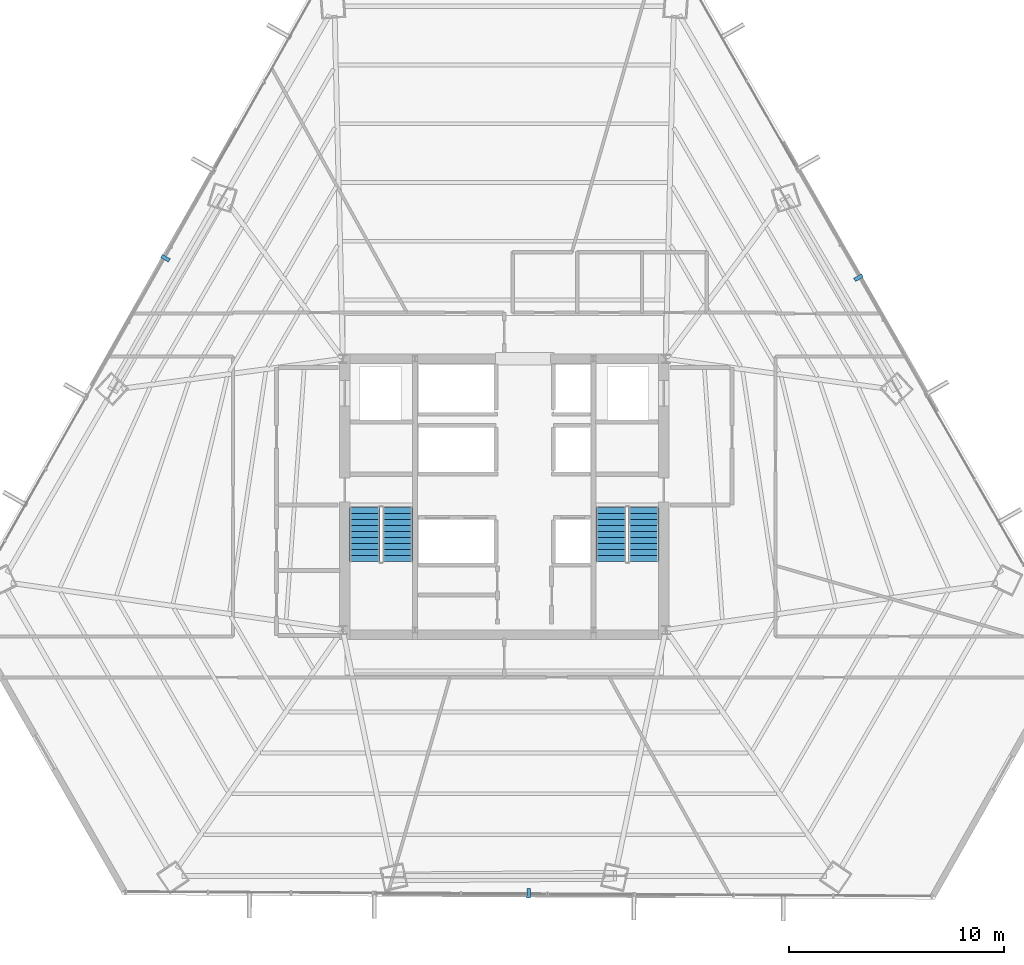
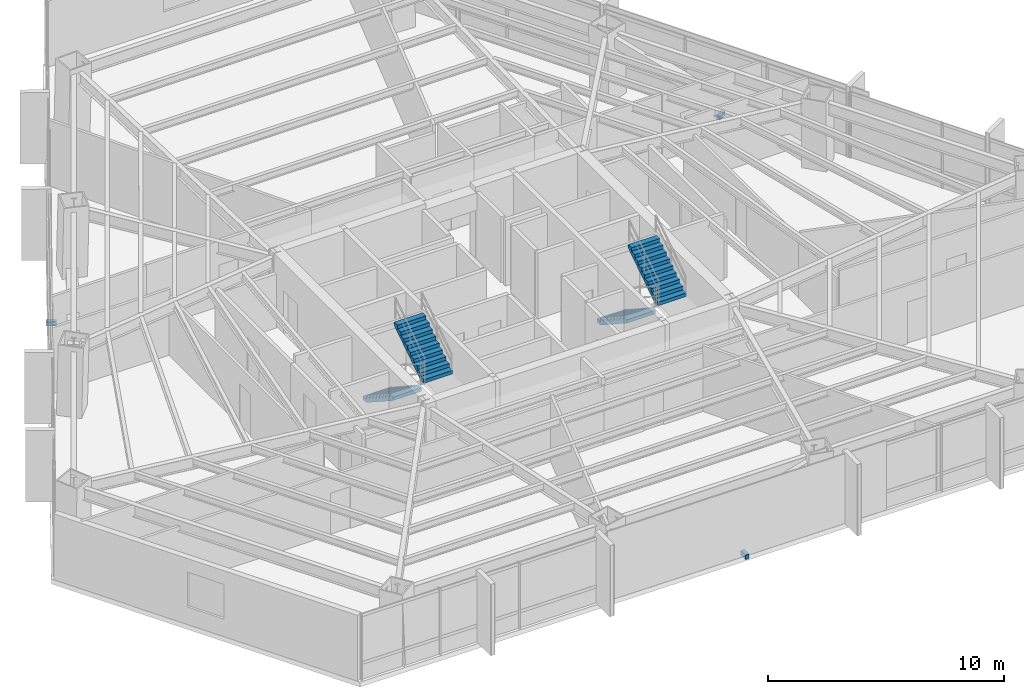
# One storey, part 33 of 36: 4 stair flights, 3 discrete accessories, 2 elements without a shape of their own.
"""IFC4 building model written with IfcOpenShell, lengths in metres."""

import ifcopenshell
import ifcopenshell.guid

model = None  # the IFC model being written
_history = None  # IfcOwnerHistory: only IFC2X3 demands one
_inside = {}  # id of a spatial element -> (the spatial element, [elements in it])
_under = {}  # id of a project, library or spatial element -> (it, [spatial elements below it])
_declared = {}  # id of a project -> (the project, [libraries it declares])
_typed = {}  # id of a type object -> (the type object, [elements of that type])
_made_of = {}  # id of a material, layer set ... -> (it, [elements and type objects made of it])


def new_model(schema):
    """Start an empty IFC model of exactly this schema.

    Asked for "IFC4X3", IfcOpenShell would pick the latest addendum, in which some entities
    have other attributes; the version numbers below select the first issue.
    IFC2X3 requires an IfcOwnerHistory on every rooted entity: one is made here for all.
    """
    global model, _history
    if schema == "IFC4X3":
        model = ifcopenshell.file(schema_version=(4, 3, 0, 0))
    else:
        model = ifcopenshell.file(schema=schema)
    _inside.clear()
    _under.clear()
    _declared.clear()
    _typed.clear()
    _made_of.clear()
    _history = None
    if model.schema == "IFC2X3":
        org = make("IfcOrganization", Name="unknown")
        user = make(
            "IfcPersonAndOrganization",
            ThePerson=make("IfcPerson", FamilyName="unknown"),
            TheOrganization=org,
        )
        app = make(
            "IfcApplication",
            ApplicationDeveloper=org,
            Version="unknown",
            ApplicationFullName="unknown",
            ApplicationIdentifier="unknown",
        )
        _history = make(
            "IfcOwnerHistory",
            OwningUser=user,
            OwningApplication=app,
            ChangeAction="ADDED",
            CreationDate=0,
        )
    return model


def make(cls, **values):
    """One entity of the class cls with the attributes given. An attribute that is None is left unset."""
    return model.create_entity(
        cls, **{name: value for name, value in values.items() if value is not None}
    )


def rooted(cls, **values):
    """An entity with a GlobalId (a new one), such as an element, a storey or a relation."""
    return make(cls, GlobalId=ifcopenshell.guid.new(), OwnerHistory=_history, **values)


def si_unit(unit_type, name, prefix=None):
    """IfcSIUnit, for example si_unit("LENGTHUNIT", "METRE", prefix="MILLI")."""
    return make("IfcSIUnit", UnitType=unit_type, Prefix=prefix, Name=name)


def assignment(units):
    """IfcUnitAssignment: the units of a project."""
    return None if units is None else make("IfcUnitAssignment", Units=units)


def point(xyz):
    """IfcCartesianPoint."""
    return None if xyz is None else make("IfcCartesianPoint", Coordinates=xyz)


def direction(xyz):
    """IfcDirection."""
    return None if xyz is None else make("IfcDirection", DirectionRatios=xyz)


def frame(location, z_axis=None, x_axis=None):
    """IfcAxis2Placement3D, a coordinate frame: its origin and axes. An axis left out is left unset."""
    return make(
        "IfcAxis2Placement3D",
        Location=point(location),
        Axis=direction(z_axis),
        RefDirection=direction(x_axis),
    )


def frame_2d(location, x_axis=None):
    """IfcAxis2Placement2D, a coordinate frame in the plane: its origin and x axis."""
    return make(
        "IfcAxis2Placement2D", Location=point(location), RefDirection=direction(x_axis)
    )


def origin():
    """The frame at (0, 0, 0) with its axes left unset."""
    return frame((0.0, 0.0, 0.0))


def origin_2d():
    """The frame at (0, 0) in the plane with its x axis left unset."""
    return frame_2d((0.0, 0.0))


def place(relative_to, where):
    """IfcLocalPlacement: puts the frame where relative to a parent placement (None: the world)."""
    return make(
        "IfcLocalPlacement", PlacementRelTo=relative_to, RelativePlacement=where
    )


def context(
    kind, dimensions, precision=None, world=None, true_north=None, identifier=None
):
    """IfcGeometricRepresentationContext, for example the 3D "Model" context."""
    return make(
        "IfcGeometricRepresentationContext",
        ContextIdentifier=identifier,
        ContextType=kind,
        CoordinateSpaceDimension=dimensions,
        Precision=precision,
        WorldCoordinateSystem=world,
        TrueNorth=true_north,
    )


def subcontext(parent, identifier, kind, view, scale=None):
    """IfcGeometricRepresentationSubContext, for example "Body" below "Model"."""
    return make(
        "IfcGeometricRepresentationSubContext",
        ContextIdentifier=identifier,
        ContextType=kind,
        ParentContext=parent,
        TargetScale=scale,
        TargetView=view,
    )


def project(units=None, contexts=None):
    """IfcProject with its units and contexts."""
    return rooted(
        "IfcProject",
        Name="project",
        RepresentationContexts=contexts,
        UnitsInContext=assignment(units),
    )


def spatial(cls, under=None, at=None, **own):
    """A site, building, storey or space (cls), placed at a placement, below another one or the project."""
    s = rooted(cls, ObjectPlacement=at, **own)
    if under is not None:
        _under.setdefault(under.id(), (under, []))[1].append(s)
    return s


def polyline(points):
    """IfcPolyline through the points."""
    return make("IfcPolyline", Points=[point(p) for p in points])


def profile(cls, at=None, kind="AREA", **sizes):
    """A parametric profile (cls). Its sizes go by their IFC names, for example OverallWidth=200.0."""
    return make(cls, ProfileType=kind, Position=at, **sizes)


def rectangle(**sizes):
    """IfcRectangleProfileDef."""
    return profile("IfcRectangleProfileDef", **sizes)


def outline(outer, holes=None, kind="AREA"):
    """IfcArbitraryClosedProfileDef: a profile drawn as a closed curve; with holes, ...WithVoids."""
    if holes is None:
        return make("IfcArbitraryClosedProfileDef", ProfileType=kind, OuterCurve=outer)
    return make(
        "IfcArbitraryProfileDefWithVoids",
        ProfileType=kind,
        OuterCurve=outer,
        InnerCurves=holes,
    )


def extrude(swept, where, along, depth):
    """IfcExtrudedAreaSolid: the profile swept, set in the frame where, extruded along a direction by depth."""
    return make(
        "IfcExtrudedAreaSolid",
        SweptArea=swept,
        Position=where,
        ExtrudedDirection=direction(along),
        Depth=depth,
    )


def shape(context_of_items, identifier, shape_type, items):
    """IfcShapeRepresentation: the items that make up one representation, for example the "Body"."""
    return make(
        "IfcShapeRepresentation",
        ContextOfItems=context_of_items,
        RepresentationIdentifier=identifier,
        RepresentationType=shape_type,
        Items=items,
    )


def source(mapping_origin, context_of_items, identifier, shape_type, items):
    """IfcRepresentationMap: a shape defined once, which mapped items show again and again."""
    return make(
        "IfcRepresentationMap",
        MappingOrigin=mapping_origin,
        MappedRepresentation=shape(context_of_items, identifier, shape_type, items),
    )


def transform(
    local_origin,
    x_axis=None,
    y_axis=None,
    z_axis=None,
    scale=None,
    scale2=None,
    scale3=None,
    uniform=True,
):
    """IfcCartesianTransformationOperator3D, or its non-uniform kind. x_axis, y_axis, z_axis: its Axis1, 2, 3."""
    if uniform:
        return make(
            "IfcCartesianTransformationOperator3D",
            Axis1=direction(x_axis),
            Axis2=direction(y_axis),
            LocalOrigin=point(local_origin),
            Scale=scale,
            Axis3=direction(z_axis),
        )
    return make(
        "IfcCartesianTransformationOperator3DnonUniform",
        Axis1=direction(x_axis),
        Axis2=direction(y_axis),
        LocalOrigin=point(local_origin),
        Scale=scale,
        Axis3=direction(z_axis),
        Scale2=scale2,
        Scale3=scale3,
    )


def mapped(mapping_source, mapping_target):
    """IfcMappedItem: shows the shape of a source again, moved by a transform."""
    return make(
        "IfcMappedItem", MappingSource=mapping_source, MappingTarget=mapping_target
    )


def material(Name=None, Category=None):
    """IfcMaterial."""
    return make("IfcMaterial", Name=Name, Category=Category)


def made_of(thing, what):
    """Note that an element or type object is made of a material, layer set ...; save() writes the relation."""
    if what is not None:
        _made_of.setdefault(what.id(), (what, []))[1].append(thing)
    return thing


def type_object(cls, material=None, **own):
    """A type object (cls), such as IfcWallType, which elements share."""
    return made_of(rooted(cls, **own), material)


def type_shapes(of_type, sources):
    """Give a type object the sources (RepresentationMaps) that its elements show as mapped items."""
    of_type.RepresentationMaps = sources


def element(
    cls,
    number,
    at=None,
    inside=None,
    cuts=None,
    type_object=None,
    material=None,
    context=None,
    identifier="Body",
    shape_type=None,
    held_by="IfcProductDefinitionShape",
    body=None,
    shapes=None,
    **own,
):
    """One element of the class cls, such as IfcWall. Its Tag is "e" and its number.

    at: its placement. inside: the storey or other place that contains it. cuts: it is an
    opening in that element (IfcRelVoidsElement). A single representation is given by context,
    identifier, shape_type and body (its items); several are given by shapes. held_by: the class
    of the entity that holds the representations. save() writes the other relations.
    """
    e = rooted(cls, Tag="e%d" % number, ObjectPlacement=at, **own)
    if body is not None:
        shapes = [shape(context, identifier, shape_type, body)]
    if shapes is not None:
        e.Representation = make(held_by, Representations=shapes)
    if inside is not None:
        _inside.setdefault(inside.id(), (inside, []))[1].append(e)
    if cuts is not None:
        rooted(
            "IfcRelVoidsElement", RelatingBuildingElement=cuts, RelatedOpeningElement=e
        )
    if type_object is not None:
        _typed.setdefault(type_object.id(), (type_object, []))[1].append(e)
    return made_of(e, material)


def aggregate(whole, parts):
    """IfcRelAggregates: a whole, such as a stair, and the parts it consists of."""
    return rooted("IfcRelAggregates", RelatingObject=whole, RelatedObjects=parts)


def save(model, path):
    """Write the relations noted so far, then the file.

    IfcRelAggregates (storeys below a building ...), IfcRelContainedInSpatialStructure (elements
    in a storey), IfcRelDefinesByType, IfcRelAssociatesMaterial and IfcRelDeclares: one each for
    every whole, place, type object, material and project.
    """
    for whole, parts in _under.values():
        aggregate(whole, parts)
    for where, things in _inside.values():
        rooted(
            "IfcRelContainedInSpatialStructure",
            RelatedElements=things,
            RelatingStructure=where,
        )
    for kind, things in _typed.values():
        rooted("IfcRelDefinesByType", RelatedObjects=things, RelatingType=kind)
    for what, things in _made_of.values():
        rooted("IfcRelAssociatesMaterial", RelatedObjects=things, RelatingMaterial=what)
    for by, libraries in _declared.values():
        rooted("IfcRelDeclares", RelatingContext=by, RelatedDefinitions=libraries)
    model.write(path)


model = new_model("IFC4")

# Units and contexts
model_context = context("Model", 3, precision=1e-05, world=origin(), true_north=direction((0.0, 1.0)))
body_context = subcontext(model_context, "Body", "Model", "MODEL_VIEW")
ifc_project = project(units=[si_unit("LENGTHUNIT", "METRE"), si_unit("AREAUNIT", "SQUARE_METRE"), si_unit("VOLUMEUNIT", "CUBIC_METRE"), si_unit("PLANEANGLEUNIT", "RADIAN"), si_unit("MASSUNIT", "GRAM", prefix="KILO")], contexts=[model_context])

# Site, building, storey
site_placement = place(None, origin())
site = spatial("IfcSite", under=ifc_project, at=site_placement, CompositionType="ELEMENT")
building_placement = place(site_placement, origin())
building = spatial("IfcBuilding", under=site, at=building_placement, Name="Caelisora Broadcast Tower", CompositionType="ELEMENT")
storey_placement = place(building_placement, frame((0.0, 0.0, 83.5)))
storey = spatial("IfcBuildingStorey", under=building, at=storey_placement, Name="L21", CompositionType="ELEMENT", Elevation=83.5)

# Stair, stair flights
ifc_material_1 = material(Name="Concrete 40 MPa (AS 3600 N40)", Category="concrete")
stair_type_1 = type_object("IfcStairType", Name="ST-1", PredefinedType="HALF_TURN_STAIR", material=ifc_material_1)
stair_1_placement = place(storey_placement, origin())
stair_1 = element("IfcStair", 1, at=stair_1_placement, inside=storey, type_object=stair_type_1, Name="L21 West Fire-Isolated Tower Stair", PredefinedType="HALF_TURN_STAIR")
stair_flight_type = type_object("IfcStairFlightType", Name="STF-2", PredefinedType="STRAIGHT", material=ifc_material_1)
stair_flight_1_placement = place(storey_placement, frame((31.52001953125, 23.10009765625, 0.0), z_axis=(0.0, 0.0, 1.0), x_axis=(0.0, -1.0, 0.0)))
stair_flight_1 = element("IfcStairFlight", 2, at=stair_flight_1_placement, type_object=stair_flight_type, Name="ST-1 flight 1", NumberOfRisers=10, NumberOfTreads=9, PredefinedType="STRAIGHT", RiserHeight=0.1825, TreadLength=0.28, context=body_context, shape_type="SweptSolid", body=[
    extrude(outline(polyline([(0.0, 0.0), (0.0, 0.1826171875), (0.280029296875, 0.1826171875), (0.280029296875, 0.364990234375), (0.56005859375, 0.364990234375), (0.56005859375, 0.547607421875), (0.840087890625, 0.547607421875), (0.840087890625, 0.72998046875), (1.1201171875, 0.72998046875), (1.1201171875, 0.91259765625), (1.39990234375, 0.91259765625), (1.39990234375, 1.094970703125), (1.679931640625, 1.094970703125), (1.679931640625, 1.277587890625), (1.9599609375, 1.277587890625), (1.9599609375, 1.4599609375), (2.239990234375, 1.4599609375), (2.239990234375, 1.642578125), (2.52001953125, 1.642578125), (2.52001953125, 1.824951171875), (2.52001953125, 1.463623046875), (0.2744140625, 0.0), (0.0, 0.0)])), frame((0.0, 0.699951171875, 0.0), z_axis=(0.0, -1.0, 0.0), x_axis=(1.0, 0.0, 0.0)), (0.0, 0.0, 1.0), 1.39990234375),
])
stair_flight_2_placement = place(storey_placement, frame((33.0400390625, 20.580078125, 1.824951171875), z_axis=(0.0, 0.0, 1.0), x_axis=(0.0, 1.0, 0.0)))
stair_flight_2 = element("IfcStairFlight", 3, at=stair_flight_2_placement, type_object=stair_flight_type, Name="ST-1 flight 2", NumberOfRisers=10, NumberOfTreads=9, PredefinedType="STRAIGHT", RiserHeight=0.1825, TreadLength=0.28, context=body_context, shape_type="SweptSolid", body=[
    extrude(outline(polyline([(0.0, 0.0), (0.0, 0.1826171875), (0.280029296875, 0.1826171875), (0.280029296875, 0.364990234375), (0.56005859375, 0.364990234375), (0.56005859375, 0.547607421875), (0.840087890625, 0.547607421875), (0.840087890625, 0.72998046875), (1.1201171875, 0.72998046875), (1.1201171875, 0.91259765625), (1.39990234375, 0.91259765625), (1.39990234375, 1.094970703125), (1.679931640625, 1.094970703125), (1.679931640625, 1.277587890625), (1.9599609375, 1.277587890625), (1.9599609375, 1.4599609375), (2.239990234375, 1.4599609375), (2.239990234375, 1.642578125), (2.52001953125, 1.642578125), (2.52001953125, 1.824951171875), (2.52001953125, 1.463623046875), (0.2744140625, 0.0), (0.0, 0.0)])), frame((0.0, 0.699951171875, 0.0), z_axis=(0.0, -1.0, 0.0), x_axis=(1.0, 0.0, 0.0)), (0.0, 0.0, 1.0), 1.39990234375),
])
aggregate(stair_1, [stair_flight_1, stair_flight_2])

stair_type_2 = type_object("IfcStairType", Name="ST-2", PredefinedType="HALF_TURN_STAIR", material=ifc_material_1)
stair_2_placement = place(storey_placement, origin())
stair_2 = element("IfcStair", 4, at=stair_2_placement, inside=storey, type_object=stair_type_2, Name="L21 East Fire-Isolated Tower Stair", PredefinedType="HALF_TURN_STAIR")
stair_flight_3_placement = place(storey_placement, frame((42.9599609375, 23.10009765625, 0.0), z_axis=(0.0, 0.0, 1.0), x_axis=(0.0, -1.0, 0.0)))
stair_flight_3 = element("IfcStairFlight", 5, at=stair_flight_3_placement, type_object=stair_flight_type, Name="ST-2 flight 1", NumberOfRisers=10, NumberOfTreads=9, PredefinedType="STRAIGHT", RiserHeight=0.1825, TreadLength=0.28, context=body_context, shape_type="SweptSolid", body=[
    extrude(outline(polyline([(0.0, 0.0), (0.0, 0.1826171875), (0.280029296875, 0.1826171875), (0.280029296875, 0.364990234375), (0.56005859375, 0.364990234375), (0.56005859375, 0.547607421875), (0.840087890625, 0.547607421875), (0.840087890625, 0.72998046875), (1.1201171875, 0.72998046875), (1.1201171875, 0.91259765625), (1.39990234375, 0.91259765625), (1.39990234375, 1.094970703125), (1.679931640625, 1.094970703125), (1.679931640625, 1.277587890625), (1.9599609375, 1.277587890625), (1.9599609375, 1.4599609375), (2.239990234375, 1.4599609375), (2.239990234375, 1.642578125), (2.52001953125, 1.642578125), (2.52001953125, 1.824951171875), (2.52001953125, 1.463623046875), (0.2744140625, 0.0), (0.0, 0.0)])), frame((0.0, 0.699951171875, 0.0), z_axis=(0.0, -1.0, 0.0), x_axis=(1.0, 0.0, 0.0)), (0.0, 0.0, 1.0), 1.39990234375),
])
stair_flight_4_placement = place(storey_placement, frame((44.47998046875, 20.580078125, 1.824951171875), z_axis=(0.0, 0.0, 1.0), x_axis=(0.0, 1.0, 0.0)))
stair_flight_4 = element("IfcStairFlight", 6, at=stair_flight_4_placement, type_object=stair_flight_type, Name="ST-2 flight 2", NumberOfRisers=10, NumberOfTreads=9, PredefinedType="STRAIGHT", RiserHeight=0.1825, TreadLength=0.28, context=body_context, shape_type="SweptSolid", body=[
    extrude(outline(polyline([(0.0, 0.0), (0.0, 0.1826171875), (0.280029296875, 0.1826171875), (0.280029296875, 0.364990234375), (0.56005859375, 0.364990234375), (0.56005859375, 0.547607421875), (0.840087890625, 0.547607421875), (0.840087890625, 0.72998046875), (1.1201171875, 0.72998046875), (1.1201171875, 0.91259765625), (1.39990234375, 0.91259765625), (1.39990234375, 1.094970703125), (1.679931640625, 1.094970703125), (1.679931640625, 1.277587890625), (1.9599609375, 1.277587890625), (1.9599609375, 1.4599609375), (2.239990234375, 1.4599609375), (2.239990234375, 1.642578125), (2.52001953125, 1.642578125), (2.52001953125, 1.824951171875), (2.52001953125, 1.463623046875), (0.2744140625, 0.0), (0.0, 0.0)])), frame((0.0, 0.699951171875, 0.0), z_axis=(0.0, -1.0, 0.0), x_axis=(1.0, 0.0, 0.0)), (0.0, 0.0, 1.0), 1.39990234375),
])
aggregate(stair_2, [stair_flight_3, stair_flight_4])

# Discrete accessories
ifc_material_2 = material(Name="Steel Grade 350 (AS/NZS 3679.1)", Category="steel")
discrete_accessory_type = type_object("IfcDiscreteAccessoryType", Name="BRK-1", PredefinedType="BRACKET", material=ifc_material_2)
shared_shape = source(origin(), body_context, "Body", "SweptSolid", [
    extrude(rectangle(XDim=0.179931640625, YDim=0.419921875, at=origin_2d()), origin(), (0.0, 0.0, 1.0), 0.219970703125),
])
type_shapes(discrete_accessory_type, [shared_shape])
for number, where, z_axis, x_axis, name in (
    (7, (22.26123046875, 34.66943359375, -0.16015625), (0.0, 0.0, 1.0), (-0.49181581725, -0.870699260309, 0.0), "L21 solar screen outrigger bracket #1"),
    (8, (39.135498046875, 5.17041015625, -0.16015625), (0.0, 0.0, 1.0), (0.999985363169, -0.005410494284, 0.0), "L21 solar screen outrigger bracket #2"),
    (9, (54.458251953125, 33.76708984375, -0.16015625), (0.0, 0.0, 1.0), (-0.496519531995, 0.868025549363, 0.0), "L21 solar screen outrigger bracket #3"),
):
    element("IfcDiscreteAccessory", number, at=place(storey_placement, frame(where, z_axis=z_axis, x_axis=x_axis)), inside=storey, type_object=discrete_accessory_type, Name=name, PredefinedType="BRACKET", context=body_context, shape_type="MappedRepresentation", body=[
        mapped(shared_shape, transform((0.0, 0.0, 0.0), scale=1.0)),
    ])

save(model, "model.ifc")
